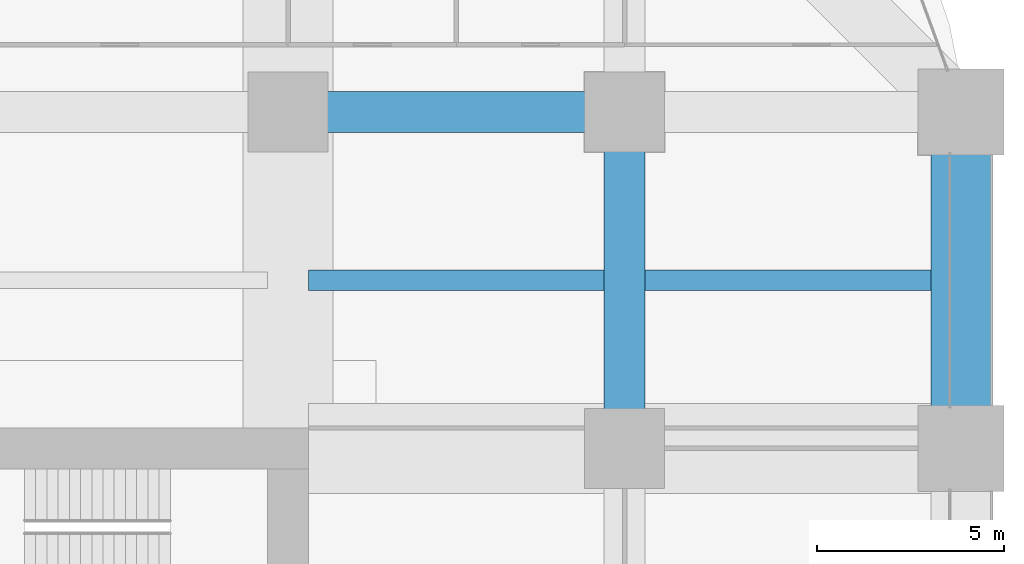
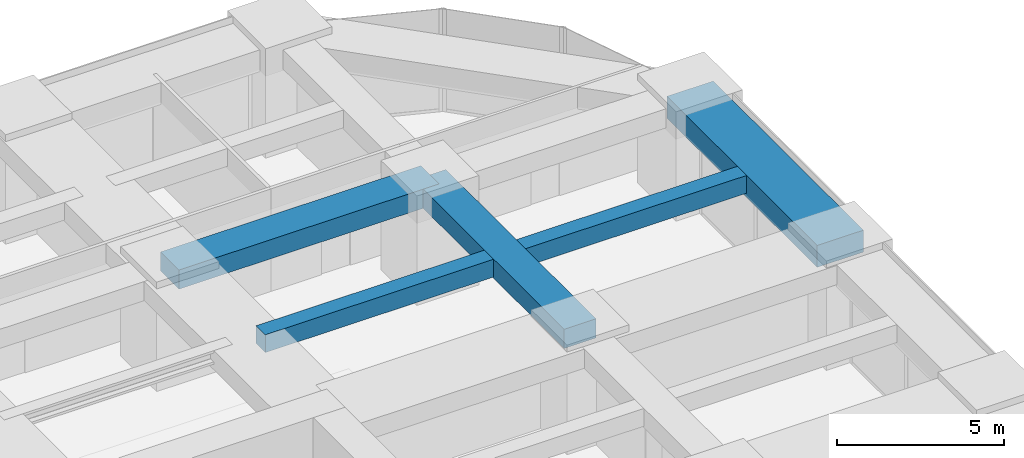
# One storey, part 32 of 44: 5 beams.
"""IFC4 building model written with IfcOpenShell, lengths in metres."""

from ifc_helpers import new_model, si_unit, direction, frame, origin, origin_2d, place, context, subcontext, project, spatial, rectangle, extrude, material, material_profile, profile_set, type_object, element, save


model = new_model("IFC4")

# Units and contexts
model_context = context("Model", 3, precision=1e-05, world=origin(), true_north=direction((0.0, 1.0)))
body_context = subcontext(model_context, "Body", "Model", "MODEL_VIEW")
ifc_project = project(units=[si_unit("LENGTHUNIT", "METRE"), si_unit("AREAUNIT", "SQUARE_METRE"), si_unit("VOLUMEUNIT", "CUBIC_METRE"), si_unit("PLANEANGLEUNIT", "RADIAN"), si_unit("MASSUNIT", "GRAM", prefix="KILO")], contexts=[model_context])

# Site, building, storey
site_placement = place(None, origin())
site = spatial("IfcSite", under=ifc_project, at=site_placement, CompositionType="ELEMENT")
building_placement = place(site_placement, origin())
building = spatial("IfcBuilding", under=site, at=building_placement, Name="Zorevar Civic Tower", CompositionType="ELEMENT")
storey_placement = place(building_placement, frame((0.0, 0.0, 63.800048828125)))
storey = spatial("IfcBuildingStorey", under=building, at=storey_placement, Name="L15", CompositionType="ELEMENT", Elevation=63.800048828125)

# Beams
ifc_material_1 = material(Name="Concrete C50/60", Category="concrete")
ifc_material_profile_1 = material_profile(ifc_material_1, rectangle(XDim=1.10009765625, YDim=0.699951171875, at=origin_2d()), Name="RC 1100x700")
ifc_profile_set_1 = profile_set([ifc_material_profile_1], Name="Concrete C50/60")
beam_type_1 = type_object("IfcBeamType", Name="Beam RC 1100x700", PredefinedType="BEAM", material=ifc_profile_set_1)
for number, where, z_axis, x_axis, name in (
    (1, (45.0, 45.0, 3.39990234375), (1.0, 0.0, 0.0), (0.0, 1.0, 0.0), "Girder L16"),
    (2, (54.0, 36.0, 3.39990234375), (0.0, 1.0, 0.0), (-1.0, 0.0, 0.0), "Girder L16"),
):
    element("IfcBeam", number, at=place(storey_placement, frame(where, z_axis=z_axis, x_axis=x_axis)), inside=storey, type_object=beam_type_1, Name=name, PredefinedType="BEAM", context=body_context, shape_type="SweptSolid", body=[
        extrude(rectangle(XDim=1.10009765625, YDim=0.699951171875, at=origin_2d()), origin(), (0.0, 0.0, 1.0), 9.0),
    ])
ifc_material_2 = material(Name="Concrete C50/60", Category="concrete")
ifc_material_profile_2 = material_profile(ifc_material_2, rectangle(XDim=0.550048828125, YDim=0.64990234375, at=origin_2d()), Name="RC 550x650")
ifc_profile_set_2 = profile_set([ifc_material_profile_2], Name="Concrete C50/60")
beam_type_2 = type_object("IfcBeamType", Name="Beam RC 550x650", PredefinedType="BEAM", material=ifc_profile_set_2)
beam_1_placement = place(storey_placement, frame((45.550048828125, 40.5, 3.425048828125), z_axis=(1.0, 0.0, 0.0), x_axis=(0.0, 1.0, 0.0)))
element("IfcBeam", 3, at=beam_1_placement, inside=storey, type_object=beam_type_2, Name="Secondary beam L16", PredefinedType="BEAM", context=body_context, shape_type="SweptSolid", body=[
    extrude(rectangle(XDim=0.550048828125, YDim=0.64990234375, at=origin_2d()), origin(), (0.0, 0.0, 1.0), 7.89990234375),
])
beam_2_placement = place(storey_placement, frame((54.550048828125, 40.5, 3.425048828125), z_axis=(1.0, 0.0, 0.0), x_axis=(0.0, 1.0, 0.0)))
element("IfcBeam", 4, at=beam_2_placement, inside=storey, type_object=beam_type_2, Name="Secondary beam L16", PredefinedType="BEAM", context=body_context, shape_type="SweptSolid", body=[
    extrude(rectangle(XDim=0.550048828125, YDim=0.64990234375, at=origin_2d()), origin(), (0.0, 0.0, 1.0), 7.64990234375),
])
ifc_material_3 = material(Name="Concrete C50/60", Category="concrete")
ifc_material_profile_3 = material_profile(ifc_material_3, rectangle(XDim=1.60009765625, YDim=0.800048828125, at=origin_2d()), Name="RC 1600x800")
ifc_profile_set_3 = profile_set([ifc_material_profile_3], Name="Concrete C50/60")
beam_type_3 = type_object("IfcBeamType", Name="Edge beam RC 1600x800", PredefinedType="SPANDREL", material=ifc_profile_set_3)
beam_3_placement = place(storey_placement, frame((63.0, 36.0, 3.349853515625), z_axis=(0.0, 1.0, 0.0), x_axis=(-1.0, 0.0, 0.0)))
element("IfcBeam", 5, at=beam_3_placement, inside=storey, type_object=beam_type_3, Name="Edge beam L16", PredefinedType="SPANDREL", context=body_context, shape_type="SweptSolid", body=[
    extrude(rectangle(XDim=1.60009765625, YDim=0.800048828125, at=origin_2d()), origin(), (0.0, 0.0, 1.0), 9.0),
])

save(model, "model.ifc")
